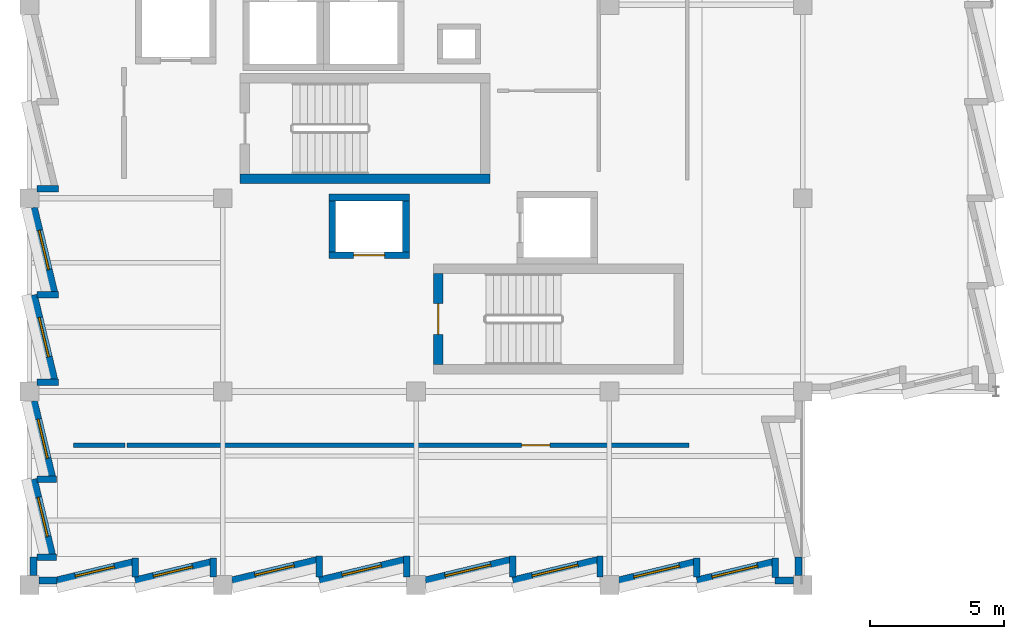
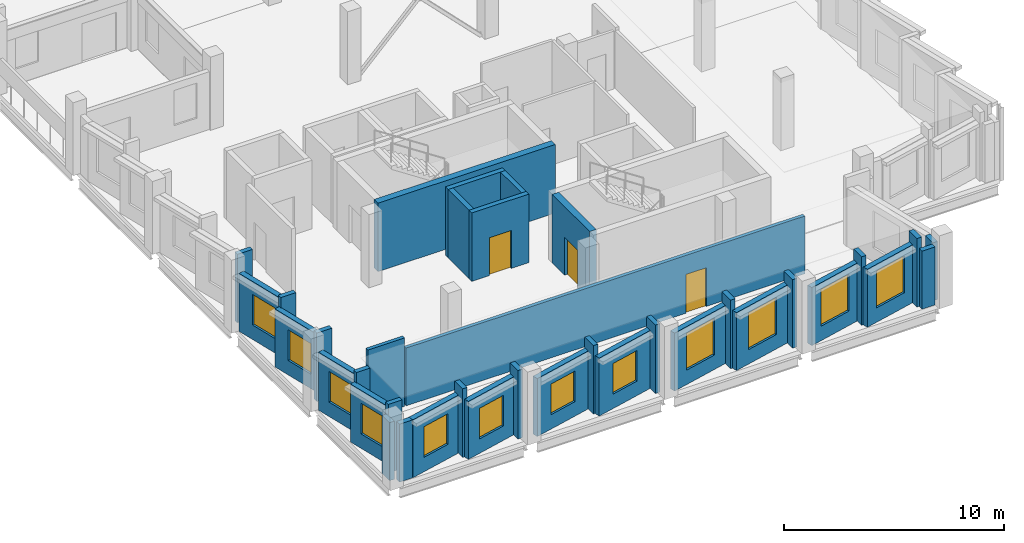
# One storey, part 22 of 33: 37 walls, 12 windows, 3 doors, 15 openings.
"""IFC4 building model written with IfcOpenShell, lengths in metres."""

from ifc_helpers import new_model, si_unit, direction, frame, frame_2d, origin, place, context, subcontext, project, spatial, rectangle, extrude, material, layer, layer_set, type_object, element, fill, save


model = new_model("IFC4")

# Units and contexts
model_context = context("Model", 3, precision=1e-05, world=origin(), true_north=direction((0.0, 1.0)))
body_context = subcontext(model_context, "Body", "Model", "MODEL_VIEW")
ifc_project = project(units=[si_unit("LENGTHUNIT", "METRE"), si_unit("AREAUNIT", "SQUARE_METRE"), si_unit("VOLUMEUNIT", "CUBIC_METRE"), si_unit("PLANEANGLEUNIT", "RADIAN"), si_unit("MASSUNIT", "GRAM", prefix="KILO")], contexts=[model_context])

# Site, building, storey
site_placement = place(None, origin())
site = spatial("IfcSite", under=ifc_project, at=site_placement, CompositionType="ELEMENT")
building_placement = place(site_placement, origin())
building = spatial("IfcBuilding", under=site, at=building_placement, Name="Kalmorath City Hall", CompositionType="ELEMENT")
storey_placement = place(building_placement, frame((0.0, 0.0, 22.949951171875)))
storey = spatial("IfcBuildingStorey", under=building, at=storey_placement, Name="L05", CompositionType="ELEMENT", Elevation=22.949951171875)

# Wall
ifc_material_1 = material(Name="Concrete C50/60", Category="concrete")
ifc_layer_1 = layer(ifc_material_1, 0.35009765625)
ifc_layer_set_1 = layer_set([ifc_layer_1], Name="Concrete C50/60")
wall_type_1 = type_object("IfcWallType", Name="Concrete core shear wall 350", PredefinedType="SHEAR", material=ifc_layer_set_1)
wall_1_placement = place(storey_placement, frame((7.85009765625, 15.125, 0.0), z_axis=(0.0, 0.0, 1.0), x_axis=(1.0, 0.0, 0.0)))
element("IfcWall", 1, at=wall_1_placement, inside=storey, type_object=wall_type_1, Name="L05 C1 stair core shear wall S", PredefinedType="SHEAR", context=body_context, shape_type="SweptSolid", body=[
    extrude(rectangle(XDim=9.2998046875, YDim=0.35009765625, at=frame_2d((4.64990234375, 0.0))), origin(), (0.0, 0.0, 1.0), 3.800048828125),
])

# Wall, opening, door
wall_2_placement = place(storey_placement, frame((15.22509765625, 11.60009765625, 0.0), z_axis=(0.0, 0.0, 1.0), x_axis=(0.0, -1.0, 0.0)))
wall_2 = element("IfcWall", 2, at=wall_2_placement, inside=storey, type_object=wall_type_1, Name="L05 C2 stair core shear wall W", PredefinedType="SHEAR", context=body_context, shape_type="SweptSolid", body=[
    extrude(rectangle(XDim=3.400146484375, YDim=0.35009765625, at=frame_2d((1.7001953125, 0.0))), origin(), (0.0, 0.0, 1.0), 3.800048828125),
])
opening_1_placement = place(wall_2_placement, frame((1.125, 0.0, 0.0)))
opening_1 = element("IfcOpeningElement", 3, at=opening_1_placement, cuts=wall_2, Name="Opening D-L05-043", PredefinedType="OPENING", context=body_context, shape_type="SweptSolid", body=[
    extrude(rectangle(XDim=1.14990234375, YDim=2.10009765625, at=frame_2d((0.574951171875, 1.050048828125))), frame((0.0, 0.18505859375, 0.0), z_axis=(0.0, -1.0, 0.0), x_axis=(1.0, 0.0, 0.0)), (0.0, 0.0, 1.0), 0.3701171875),
])
ifc_material_2 = material(Name="Galvanised steel fire door", Category="steel")
door_type_1 = type_object("IfcDoorType", Name="Stair enclosure 90-min fire door 1150x2100", OperationType="NOTDEFINED", PredefinedType="DOOR", material=ifc_material_2)
door_1_placement = place(opening_1_placement, frame((1.14990234375, 0.0, 0.0), z_axis=(0.0, 0.0, 1.0), x_axis=(-1.0, 0.0, 0.0)))
door_1 = element("IfcDoor", 4, at=door_1_placement, inside=storey, type_object=door_type_1, Name="L05 door D-L05-043", OperationType="SINGLE_SWING_LEFT", OverallHeight=2.10009765625, OverallWidth=1.14990234375, PredefinedType="DOOR", context=body_context, shape_type="SweptSolid", body=[
    extrude(rectangle(XDim=1.14990234375, YDim=2.10009765625, at=frame_2d((0.574951171875, 1.050048828125))), frame((0.0, 0.02490234375, 0.0), z_axis=(0.0, -1.0, 0.0), x_axis=(1.0, 0.0, 0.0)), (0.0, 0.0, 1.0), 0.050048828125),
])
fill(opening_1, door_1)

ifc_material_3 = material(Name="Concrete C50/60", Category="concrete")
ifc_layer_2 = layer(ifc_material_3, 0.25)
ifc_layer_set_2 = layer_set([ifc_layer_2], Name="Concrete C50/60")
wall_type_2 = type_object("IfcWallType", Name="Concrete lift shaft wall 250", PredefinedType="SHEAR", material=ifc_layer_set_2)
wall_3_placement = place(storey_placement, frame((11.14990234375, 12.27490234375, 0.0), z_axis=(0.0, 0.0, 1.0), x_axis=(1.0, 0.0, 0.0)))
wall_3 = element("IfcWall", 5, at=wall_3_placement, inside=storey, type_object=wall_type_2, Name="L05 FL2 lift shaft wall -y", PredefinedType="SHEAR", context=body_context, shape_type="SweptSolid", body=[
    extrude(rectangle(XDim=3.0, YDim=0.25, at=frame_2d((1.5, 0.0))), origin(), (0.0, 0.0, 1.0), 3.800048828125),
])
opening_2_placement = place(wall_3_placement, frame((0.925048828125, 0.0, 0.0)))
opening_2 = element("IfcOpeningElement", 6, at=opening_2_placement, cuts=wall_3, Name="Opening LD-052", PredefinedType="OPENING", context=body_context, shape_type="SweptSolid", body=[
    extrude(rectangle(XDim=1.14990234375, YDim=2.10009765625, at=frame_2d((0.574951171875, 1.050048828125))), frame((0.0, 0.135009765625, 0.0), z_axis=(0.0, -1.0, 0.0), x_axis=(1.0, 0.0, 0.0)), (0.0, 0.0, 1.0), 0.27001953125),
])
ifc_material_4 = material(Name="Stainless steel sliding landing door", Category="steel")
door_type_2 = type_object("IfcDoorType", Name="Firefighting lift sliding landing door 1150x2100", OperationType="SLIDING_TO_RIGHT", PredefinedType="DOOR", material=ifc_material_4)
door_2_placement = place(opening_2_placement, origin())
door_2 = element("IfcDoor", 7, at=door_2_placement, inside=storey, type_object=door_type_2, Name="L05 door LD-052", OperationType="SLIDING_TO_RIGHT", OverallHeight=2.10009765625, OverallWidth=1.14990234375, PredefinedType="DOOR", context=body_context, shape_type="SweptSolid", body=[
    extrude(rectangle(XDim=1.14990234375, YDim=2.10009765625, at=frame_2d((0.574951171875, 1.050048828125))), frame((0.0, 0.02490234375, 0.0), z_axis=(0.0, -1.0, 0.0), x_axis=(1.0, 0.0, 0.0)), (0.0, 0.0, 1.0), 0.050048828125),
])
fill(opening_2, door_2)

# Walls
wall_4_placement = place(storey_placement, frame((14.14990234375, 14.425048828125, 0.0), z_axis=(0.0, 0.0, 1.0), x_axis=(-1.0, 0.0, 0.0)))
element("IfcWall", 8, at=wall_4_placement, inside=storey, type_object=wall_type_2, Name="L05 FL2 lift shaft wall +y", PredefinedType="SHEAR", context=body_context, shape_type="SweptSolid", body=[
    extrude(rectangle(XDim=3.0, YDim=0.25, at=frame_2d((1.5, 0.0))), origin(), (0.0, 0.0, 1.0), 3.800048828125),
])
for number, where, z_axis, x_axis, name in (
    (9, (11.27490234375, 14.300048828125, 0.0), (0.0, 0.0, 1.0), (0.0, -1.0, 0.0), "L05 FL2 lift shaft wall -x"),
    (10, (14.02490234375, 12.39990234375, 0.0), (0.0, 0.0, 1.0), (0.0, 1.0, 0.0), "L05 FL2 lift shaft wall +x"),
):
    element("IfcWall", number, at=place(storey_placement, frame(where, z_axis=z_axis, x_axis=x_axis)), inside=storey, type_object=wall_type_2, Name=name, PredefinedType="SHEAR", context=body_context, shape_type="SweptSolid", body=[
        extrude(rectangle(XDim=1.900146484375, YDim=0.25, at=frame_2d((0.9501953125, 0.0))), origin(), (0.0, 0.0, 1.0), 3.800048828125),
    ])
ifc_material_5 = material(Name="Fire-rated acoustic gypsum partition")
ifc_layer_3 = layer(ifc_material_5, 0.179931640625)
ifc_layer_set_3 = layer_set([ifc_layer_3], Name="Fire-rated acoustic gypsum partition")
wall_type_3 = type_object("IfcWallType", Name="One-hour corridor fire partition 180", PredefinedType="PARTITIONING", material=ifc_layer_set_3)
wall_5_placement = place(storey_placement, frame((1.639892578125, 5.199951171875, 0.0), z_axis=(0.0, 0.0, 1.0), x_axis=(1.0, 0.0, 0.0)))
element("IfcWall", 11, at=wall_5_placement, inside=storey, type_object=wall_type_3, Name="L05 interior partition PW2 #172", PredefinedType="PARTITIONING", context=body_context, shape_type="SweptSolid", body=[
    extrude(rectangle(XDim=1.920166015625, YDim=0.179931640625, at=frame_2d((0.9599609375, 0.0))), origin(), (0.0, 0.0, 1.0), 3.800048828125),
])

# Wall, opening, door
wall_6_placement = place(storey_placement, frame((3.639892578125, 5.199951171875, 0.0), z_axis=(0.0, 0.0, 1.0), x_axis=(1.0, 0.0, 0.0)))
wall_6 = element("IfcWall", 12, at=wall_6_placement, inside=storey, type_object=wall_type_3, Name="L05 interior partition PW2 #178", PredefinedType="PARTITIONING", context=body_context, shape_type="SweptSolid", body=[
    extrude(rectangle(XDim=20.920166015625, YDim=0.179931640625, at=frame_2d((10.4599609375, 0.0))), origin(), (0.0, 0.0, 1.0), 3.2060546875),
])
opening_3_placement = place(wall_6_placement, frame((14.6923828125, 0.0, 0.0)))
opening_3 = element("IfcOpeningElement", 13, at=opening_3_placement, cuts=wall_6, Name="Opening D-L05-253", PredefinedType="OPENING", context=body_context, shape_type="SweptSolid", body=[
    extrude(rectangle(XDim=1.050048828125, YDim=2.14990234375, at=frame_2d((0.52490234375, 1.074951171875))), frame((0.0, 0.099853515625, 0.0), z_axis=(0.0, -1.0, 0.0), x_axis=(1.0, 0.0, 0.0)), (0.0, 0.0, 1.0), 0.199951171875),
])
ifc_material_6 = material(Name="Hardwood fire door", Category="wood")
door_type_3 = type_object("IfcDoorType", Name="Executive suite fire door 1050x2150", OperationType="NOTDEFINED", PredefinedType="DOOR", material=ifc_material_6)
door_3_placement = place(opening_3_placement, origin())
door_3 = element("IfcDoor", 14, at=door_3_placement, inside=storey, type_object=door_type_3, Name="L05 door D-L05-253", OperationType="SINGLE_SWING_LEFT", OverallHeight=2.14990234375, OverallWidth=1.050048828125, PredefinedType="DOOR", context=body_context, shape_type="SweptSolid", body=[
    extrude(rectangle(XDim=1.050048828125, YDim=2.14990234375, at=frame_2d((0.52490234375, 1.074951171875))), frame((0.0, 0.02490234375, 0.0), z_axis=(0.0, -1.0, 0.0), x_axis=(1.0, 0.0, 0.0)), (0.0, 0.0, 1.0), 0.050048828125),
])
fill(opening_3, door_3)

# Walls
ifc_material_7 = material(Name="Precast concrete C40/50", Category="concrete")
ifc_layer_4 = layer(ifc_material_7, 0.239990234375)
ifc_layer_set_4 = layer_set([ifc_layer_4], Name="Precast concrete C40/50")
wall_type_4 = type_object("IfcWallType", Name="Precast sawtooth cheek wall 240", PredefinedType="SOLIDWALL", material=ifc_layer_set_4)
wall_7_placement = place(storey_placement, frame((27.76904296875, 1.00341796875, 0.0), z_axis=(0.0, 0.0, 1.0), x_axis=(0.0, -1.0, 0.0)))
element("IfcWall", 15, at=wall_7_placement, inside=storey, type_object=wall_type_4, Name="L05 sawtooth return cheek #867", PredefinedType="SOLIDWALL", context=body_context, shape_type="SweptSolid", body=[
    extrude(rectangle(XDim=0.721435546875, YDim=0.239990234375, at=frame_2d((0.36083984375, 0.0))), origin(), (0.0, 0.0, 1.0), 3.800048828125),
])
wall_8_placement = place(storey_placement, frame((24.860107421875, 1.00341796875, 0.0), z_axis=(0.0, 0.0, 1.0), x_axis=(0.0, -1.0, 0.0)))
element("IfcWall", 16, at=wall_8_placement, inside=storey, type_object=wall_type_4, Name="L05 sawtooth return cheek #869", PredefinedType="SOLIDWALL", context=body_context, shape_type="SweptSolid", body=[
    extrude(rectangle(XDim=0.71142578125, YDim=0.239990234375, at=frame_2d((0.355712890625, 0.0))), origin(), (0.0, 0.0, 1.0), 3.800048828125),
])
for number, where, z_axis, x_axis, name in (
    (17, (21.2490234375, 1.0849609375, 0.0), (0.0, 0.0, 1.0), (0.0, -1.0, 0.0), "L05 sawtooth return cheek #871"),
    (18, (18.0, 1.0849609375, 0.0), (0.0, 0.0, 1.0), (0.0, -1.0, 0.0), "L05 sawtooth return cheek #873"),
    (19, (14.049072265625, 1.0849609375, 0.0), (0.0, 0.0, 1.0), (0.0, -1.0, 0.0), "L05 sawtooth return cheek #875"),
    (20, (10.800048828125, 1.0849609375, 0.0), (0.0, 0.0, 1.0), (0.0, -1.0, 0.0), "L05 sawtooth return cheek #877"),
):
    element("IfcWall", number, at=place(storey_placement, frame(where, z_axis=z_axis, x_axis=x_axis)), inside=storey, type_object=wall_type_4, Name=name, PredefinedType="SOLIDWALL", context=body_context, shape_type="SweptSolid", body=[
        extrude(rectangle(XDim=0.79296875, YDim=0.239990234375, at=frame_2d((0.396484375, 0.0))), origin(), (0.0, 0.0, 1.0), 3.800048828125),
    ])
for number, where, z_axis, x_axis, name in (
    (21, (6.84912109375, 1.00341796875, 0.0), (0.0, 0.0, 1.0), (0.0, -1.0, 0.0), "L05 sawtooth return cheek #880"),
    (22, (3.93994140625, 1.00341796875, 0.0), (0.0, 0.0, 1.0), (0.0, -1.0, 0.0), "L05 sawtooth return cheek #882"),
):
    element("IfcWall", number, at=place(storey_placement, frame(where, z_axis=z_axis, x_axis=x_axis)), inside=storey, type_object=wall_type_4, Name=name, PredefinedType="SOLIDWALL", context=body_context, shape_type="SweptSolid", body=[
        extrude(rectangle(XDim=0.71142578125, YDim=0.239990234375, at=frame_2d((0.355712890625, 0.0))), origin(), (0.0, 0.0, 1.0), 3.800048828125),
    ])
wall_9_placement = place(storey_placement, frame((1.00341796875, 1.031005859375, 0.0), z_axis=(0.0, 0.0, 1.0), x_axis=(-1.0, 0.0, 0.0)))
element("IfcWall", 23, at=wall_9_placement, inside=storey, type_object=wall_type_4, Name="L05 sawtooth return cheek #885", PredefinedType="SOLIDWALL", context=body_context, shape_type="SweptSolid", body=[
    extrude(rectangle(XDim=0.721435546875, YDim=0.239990234375, at=frame_2d((0.36083984375, 0.0))), origin(), (0.0, 0.0, 1.0), 3.800048828125),
])
wall_10_placement = place(storey_placement, frame((1.00341796875, 3.93994140625, 0.0), z_axis=(0.0, 0.0, 1.0), x_axis=(-1.0, 0.0, 0.0)))
element("IfcWall", 24, at=wall_10_placement, inside=storey, type_object=wall_type_4, Name="L05 sawtooth return cheek #887", PredefinedType="SOLIDWALL", context=body_context, shape_type="SweptSolid", body=[
    extrude(rectangle(XDim=0.71142578125, YDim=0.239990234375, at=frame_2d((0.355712890625, 0.0))), origin(), (0.0, 0.0, 1.0), 3.800048828125),
])
for number, where, z_axis, x_axis, name in (
    (25, (1.0849609375, 7.551025390625, 0.0), (0.0, 0.0, 1.0), (-1.0, 0.0, 0.0), "L05 sawtooth return cheek #889"),
    (26, (1.0849609375, 10.800048828125, 0.0), (0.0, 0.0, 1.0), (-1.0, 0.0, 0.0), "L05 sawtooth return cheek #891"),
    (27, (1.0849609375, 14.7509765625, 0.0), (0.0, 0.0, 1.0), (-1.0, 0.0, 0.0), "L05 sawtooth return cheek #893"),
):
    element("IfcWall", number, at=place(storey_placement, frame(where, z_axis=z_axis, x_axis=x_axis)), inside=storey, type_object=wall_type_4, Name=name, PredefinedType="SOLIDWALL", context=body_context, shape_type="SweptSolid", body=[
        extrude(rectangle(XDim=0.79296875, YDim=0.239990234375, at=frame_2d((0.396484375, 0.0))), origin(), (0.0, 0.0, 1.0), 3.800048828125),
    ])

# Wall, opening, window
ifc_material_8 = material(Name="Precast concrete C40/50", Category="concrete")
ifc_layer_5 = layer(ifc_material_8, 0.280029296875)
ifc_layer_set_5 = layer_set([ifc_layer_5], Name="Precast concrete C40/50")
wall_type_5 = type_object("IfcWallType", Name="Precast sawtooth facade wall 280", PredefinedType="SOLIDWALL", material=ifc_layer_set_5)
wall_11_placement = place(storey_placement, frame((27.676513671875, 0.836181640625, 0.0), z_axis=(0.0, 0.0, 1.0), x_axis=(-0.9723612823, -0.23348134119, 0.0)))
wall_11 = element("IfcWall", 28, at=wall_11_placement, inside=storey, type_object=wall_type_5, Name="L05 sawtooth precast frame #866", PredefinedType="SOLIDWALL", context=body_context, shape_type="SweptSolid", body=[
    extrude(rectangle(XDim=2.896484375, YDim=0.280029296875, at=frame_2d((1.4482421875, 0.0))), origin(), (0.0, 0.0, 1.0), 3.216064453125),
])
opening_4_placement = place(wall_11_placement, frame((0.5732421875, 0.0, 0.800048828125)))
opening_4 = element("IfcOpeningElement", 29, at=opening_4_placement, cuts=wall_11, Name="Opening WN1", PredefinedType="OPENING", context=body_context, shape_type="SweptSolid", body=[
    extrude(rectangle(XDim=1.75, YDim=2.050048828125, at=frame_2d((0.875, 1.02490234375))), frame((0.0, 0.14990234375, 0.0), z_axis=(0.0, -1.0, 0.0), x_axis=(1.0, 0.0, 0.0)), (0.0, 0.0, 1.0), 0.300048828125),
])
ifc_material_9 = material(Name="Aluminium and laminated glass", Category="aluminium")
window_type_1 = type_object("IfcWindowType", Name="Sawtooth hurricane window 1750x2050", PartitioningType="SINGLE_PANEL", PredefinedType="WINDOW", material=ifc_material_9)
window_1_placement = place(opening_4_placement, origin())
window_1 = element("IfcWindow", 30, at=window_1_placement, inside=storey, type_object=window_type_1, Name="L05 window WN1-447", OverallHeight=2.050048828125, OverallWidth=1.75, PartitioningType="SINGLE_PANEL", PredefinedType="WINDOW", context=body_context, shape_type="SweptSolid", body=[
    extrude(rectangle(XDim=1.75, YDim=2.050048828125, at=frame_2d((0.875, 1.02490234375))), frame((0.0, 0.030029296875, 0.0), z_axis=(0.0, -1.0, 0.0), x_axis=(1.0, 0.0, 0.0)), (0.0, 0.0, 1.0), 0.06005859375),
])
fill(opening_4, window_1)

wall_12_placement = place(storey_placement, frame((24.767578125, 0.836181640625, 0.0), z_axis=(0.0, 0.0, 1.0), x_axis=(-0.972365876643, -0.233462206666, 0.0)))
wall_12 = element("IfcWall", 31, at=wall_12_placement, inside=storey, type_object=wall_type_5, Name="L05 sawtooth precast frame #868", PredefinedType="SOLIDWALL", context=body_context, shape_type="SweptSolid", body=[
    extrude(rectangle(XDim=2.896728515625, YDim=0.280029296875, at=frame_2d((1.4482421875, 0.0))), origin(), (0.0, 0.0, 1.0), 3.216064453125),
])
opening_5_placement = place(wall_12_placement, frame((0.5732421875, 0.0, 0.800048828125)))
opening_5 = element("IfcOpeningElement", 32, at=opening_5_placement, cuts=wall_12, Name="Opening WN1", PredefinedType="OPENING", context=body_context, shape_type="SweptSolid", body=[
    extrude(rectangle(XDim=1.75, YDim=2.050048828125, at=frame_2d((0.875, 1.02490234375))), frame((0.0, 0.14990234375, 0.0), z_axis=(0.0, -1.0, 0.0), x_axis=(1.0, 0.0, 0.0)), (0.0, 0.0, 1.0), 0.300048828125),
])
window_2_placement = place(opening_5_placement, origin())
window_2 = element("IfcWindow", 33, at=window_2_placement, inside=storey, type_object=window_type_1, Name="L05 window WN1-448", OverallHeight=2.050048828125, OverallWidth=1.75, PartitioningType="SINGLE_PANEL", PredefinedType="WINDOW", context=body_context, shape_type="SweptSolid", body=[
    extrude(rectangle(XDim=1.75, YDim=2.050048828125, at=frame_2d((0.875, 1.02490234375))), frame((0.0, 0.030029296875, 0.0), z_axis=(0.0, -1.0, 0.0), x_axis=(1.0, 0.0, 0.0)), (0.0, 0.0, 1.0), 0.06005859375),
])
fill(opening_5, window_2)

wall_13_placement = place(storey_placement, frame((21.156494140625, 0.917724609375, 0.0), z_axis=(0.0, 0.0, 1.0), x_axis=(-0.972369549528, -0.233446908634, 0.0)))
wall_13 = element("IfcWall", 34, at=wall_13_placement, inside=storey, type_object=wall_type_5, Name="L05 sawtooth precast frame #870", PredefinedType="SOLIDWALL", context=body_context, shape_type="SweptSolid", body=[
    extrude(rectangle(XDim=3.24609375, YDim=0.280029296875, at=frame_2d((1.623046875, 0.0))), origin(), (0.0, 0.0, 1.0), 3.216064453125),
])
opening_6_placement = place(wall_13_placement, frame((0.748291015625, 0.0, 0.800048828125)))
opening_6 = element("IfcOpeningElement", 35, at=opening_6_placement, cuts=wall_13, Name="Opening WN1", PredefinedType="OPENING", context=body_context, shape_type="SweptSolid", body=[
    extrude(rectangle(XDim=1.75, YDim=2.050048828125, at=frame_2d((0.875, 1.02490234375))), frame((0.0, 0.14990234375, 0.0), z_axis=(0.0, -1.0, 0.0), x_axis=(1.0, 0.0, 0.0)), (0.0, 0.0, 1.0), 0.300048828125),
])
window_3_placement = place(opening_6_placement, origin())
window_3 = element("IfcWindow", 36, at=window_3_placement, inside=storey, type_object=window_type_1, Name="L05 window WN1-449", OverallHeight=2.050048828125, OverallWidth=1.75, PartitioningType="SINGLE_PANEL", PredefinedType="WINDOW", context=body_context, shape_type="SweptSolid", body=[
    extrude(rectangle(XDim=1.75, YDim=2.050048828125, at=frame_2d((0.875, 1.02490234375))), frame((0.0, 0.030029296875, 0.0), z_axis=(0.0, -1.0, 0.0), x_axis=(1.0, 0.0, 0.0)), (0.0, 0.0, 1.0), 0.06005859375),
])
fill(opening_6, window_3)

wall_14_placement = place(storey_placement, frame((17.90771484375, 0.917724609375, 0.0), z_axis=(0.0, 0.0, 1.0), x_axis=(-0.972373647746, -0.233429837788, 0.0)))
wall_14 = element("IfcWall", 37, at=wall_14_placement, inside=storey, type_object=wall_type_5, Name="L05 sawtooth precast frame #872", PredefinedType="SOLIDWALL", context=body_context, shape_type="SweptSolid", body=[
    extrude(rectangle(XDim=3.246337890625, YDim=0.280029296875, at=frame_2d((1.623046875, 0.0))), origin(), (0.0, 0.0, 1.0), 3.216064453125),
])
opening_7_placement = place(wall_14_placement, frame((0.748291015625, 0.0, 0.800048828125)))
opening_7 = element("IfcOpeningElement", 38, at=opening_7_placement, cuts=wall_14, Name="Opening WN1", PredefinedType="OPENING", context=body_context, shape_type="SweptSolid", body=[
    extrude(rectangle(XDim=1.75, YDim=2.050048828125, at=frame_2d((0.875, 1.02490234375))), frame((0.0, 0.14990234375, 0.0), z_axis=(0.0, -1.0, 0.0), x_axis=(1.0, 0.0, 0.0)), (0.0, 0.0, 1.0), 0.300048828125),
])
window_4_placement = place(opening_7_placement, origin())
window_4 = element("IfcWindow", 39, at=window_4_placement, inside=storey, type_object=window_type_1, Name="L05 window WN1-450", OverallHeight=2.050048828125, OverallWidth=1.75, PartitioningType="SINGLE_PANEL", PredefinedType="WINDOW", context=body_context, shape_type="SweptSolid", body=[
    extrude(rectangle(XDim=1.75, YDim=2.050048828125, at=frame_2d((0.875, 1.02490234375))), frame((0.0, 0.030029296875, 0.0), z_axis=(0.0, -1.0, 0.0), x_axis=(1.0, 0.0, 0.0)), (0.0, 0.0, 1.0), 0.06005859375),
])
fill(opening_7, window_4)

wall_15_placement = place(storey_placement, frame((13.95654296875, 0.917724609375, 0.0), z_axis=(0.0, 0.0, 1.0), x_axis=(-0.972369549528, -0.233446908634, 0.0)))
wall_15 = element("IfcWall", 40, at=wall_15_placement, inside=storey, type_object=wall_type_5, Name="L05 sawtooth precast frame #874", PredefinedType="SOLIDWALL", context=body_context, shape_type="SweptSolid", body=[
    extrude(rectangle(XDim=3.24609375, YDim=0.280029296875, at=frame_2d((1.623046875, 0.0))), origin(), (0.0, 0.0, 1.0), 3.216064453125),
])
opening_8_placement = place(wall_15_placement, frame((0.873291015625, 0.0, 0.800048828125)))
opening_8 = element("IfcOpeningElement", 41, at=opening_8_placement, cuts=wall_15, Name="Opening WN7", PredefinedType="OPENING", context=body_context, shape_type="SweptSolid", body=[
    extrude(rectangle(XDim=1.5, YDim=1.699951171875, at=frame_2d((0.75, 0.85009765625))), frame((0.0, 0.14990234375, 0.0), z_axis=(0.0, -1.0, 0.0), x_axis=(1.0, 0.0, 0.0)), (0.0, 0.0, 1.0), 0.300048828125),
])
ifc_material_10 = material(Name="Aluminium and laminated glass", Category="aluminium")
window_type_2 = type_object("IfcWindowType", Name="Sawtooth top storey window 1500x1700", PartitioningType="SINGLE_PANEL", PredefinedType="WINDOW", material=ifc_material_10)
window_5_placement = place(opening_8_placement, origin())
window_5 = element("IfcWindow", 42, at=window_5_placement, inside=storey, type_object=window_type_2, Name="L05 window WN7-451", OverallHeight=1.699951171875, OverallWidth=1.5, PartitioningType="SINGLE_PANEL", PredefinedType="WINDOW", context=body_context, shape_type="SweptSolid", body=[
    extrude(rectangle(XDim=1.5, YDim=1.699951171875, at=frame_2d((0.75, 0.85009765625))), frame((0.0, 0.030029296875, 0.0), z_axis=(0.0, -1.0, 0.0), x_axis=(1.0, 0.0, 0.0)), (0.0, 0.0, 1.0), 0.06005859375),
])
fill(opening_8, window_5)

wall_16_placement = place(storey_placement, frame((10.70751953125, 0.917724609375, 0.0), z_axis=(0.0, 0.0, 1.0), x_axis=(-0.972369549528, -0.233446908634, 0.0)))
wall_16 = element("IfcWall", 43, at=wall_16_placement, inside=storey, type_object=wall_type_5, Name="L05 sawtooth precast frame #876", PredefinedType="SOLIDWALL", context=body_context, shape_type="SweptSolid", body=[
    extrude(rectangle(XDim=3.24609375, YDim=0.280029296875, at=frame_2d((1.623046875, 0.0))), origin(), (0.0, 0.0, 1.0), 3.216064453125),
])
opening_9_placement = place(wall_16_placement, frame((0.873291015625, 0.0, 0.800048828125)))
opening_9 = element("IfcOpeningElement", 44, at=opening_9_placement, cuts=wall_16, Name="Opening WN7", PredefinedType="OPENING", context=body_context, shape_type="SweptSolid", body=[
    extrude(rectangle(XDim=1.5, YDim=1.699951171875, at=frame_2d((0.75, 0.85009765625))), frame((0.0, 0.14990234375, 0.0), z_axis=(0.0, -1.0, 0.0), x_axis=(1.0, 0.0, 0.0)), (0.0, 0.0, 1.0), 0.300048828125),
])
window_6_placement = place(opening_9_placement, origin())
window_6 = element("IfcWindow", 45, at=window_6_placement, inside=storey, type_object=window_type_2, Name="L05 window WN7-452", OverallHeight=1.699951171875, OverallWidth=1.5, PartitioningType="SINGLE_PANEL", PredefinedType="WINDOW", context=body_context, shape_type="SweptSolid", body=[
    extrude(rectangle(XDim=1.5, YDim=1.699951171875, at=frame_2d((0.75, 0.85009765625))), frame((0.0, 0.030029296875, 0.0), z_axis=(0.0, -1.0, 0.0), x_axis=(1.0, 0.0, 0.0)), (0.0, 0.0, 1.0), 0.06005859375),
])
fill(opening_9, window_6)

wall_17_placement = place(storey_placement, frame((6.756591796875, 0.836181640625, 0.0), z_axis=(0.0, 0.0, 1.0), x_axis=(-0.972365876643, -0.233462206666, 0.0)))
wall_17 = element("IfcWall", 46, at=wall_17_placement, inside=storey, type_object=wall_type_5, Name="L05 sawtooth precast frame #879", PredefinedType="SOLIDWALL", context=body_context, shape_type="SweptSolid", body=[
    extrude(rectangle(XDim=2.896728515625, YDim=0.280029296875, at=frame_2d((1.4482421875, 0.0))), origin(), (0.0, 0.0, 1.0), 3.216064453125),
])
opening_10_placement = place(wall_17_placement, frame((0.6982421875, 0.0, 0.800048828125)))
opening_10 = element("IfcOpeningElement", 47, at=opening_10_placement, cuts=wall_17, Name="Opening WN7", PredefinedType="OPENING", context=body_context, shape_type="SweptSolid", body=[
    extrude(rectangle(XDim=1.5, YDim=1.699951171875, at=frame_2d((0.75, 0.85009765625))), frame((0.0, 0.14990234375, 0.0), z_axis=(0.0, -1.0, 0.0), x_axis=(1.0, 0.0, 0.0)), (0.0, 0.0, 1.0), 0.300048828125),
])
window_7_placement = place(opening_10_placement, origin())
window_7 = element("IfcWindow", 48, at=window_7_placement, inside=storey, type_object=window_type_2, Name="L05 window WN7-453", OverallHeight=1.699951171875, OverallWidth=1.5, PartitioningType="SINGLE_PANEL", PredefinedType="WINDOW", context=body_context, shape_type="SweptSolid", body=[
    extrude(rectangle(XDim=1.5, YDim=1.699951171875, at=frame_2d((0.75, 0.85009765625))), frame((0.0, 0.030029296875, 0.0), z_axis=(0.0, -1.0, 0.0), x_axis=(1.0, 0.0, 0.0)), (0.0, 0.0, 1.0), 0.06005859375),
])
fill(opening_10, window_7)

wall_18_placement = place(storey_placement, frame((3.84765625, 0.836181640625, 0.0), z_axis=(0.0, 0.0, 1.0), x_axis=(-0.972365876643, -0.233462206666, 0.0)))
wall_18 = element("IfcWall", 49, at=wall_18_placement, inside=storey, type_object=wall_type_5, Name="L05 sawtooth precast frame #881", PredefinedType="SOLIDWALL", context=body_context, shape_type="SweptSolid", body=[
    extrude(rectangle(XDim=2.896728515625, YDim=0.280029296875, at=frame_2d((1.4482421875, 0.0))), origin(), (0.0, 0.0, 1.0), 3.216064453125),
])
opening_11_placement = place(wall_18_placement, frame((0.6982421875, 0.0, 0.800048828125)))
opening_11 = element("IfcOpeningElement", 50, at=opening_11_placement, cuts=wall_18, Name="Opening WN7", PredefinedType="OPENING", context=body_context, shape_type="SweptSolid", body=[
    extrude(rectangle(XDim=1.5, YDim=1.699951171875, at=frame_2d((0.75, 0.85009765625))), frame((0.0, 0.14990234375, 0.0), z_axis=(0.0, -1.0, 0.0), x_axis=(1.0, 0.0, 0.0)), (0.0, 0.0, 1.0), 0.300048828125),
])
window_8_placement = place(opening_11_placement, origin())
window_8 = element("IfcWindow", 51, at=window_8_placement, inside=storey, type_object=window_type_2, Name="L05 window WN7-454", OverallHeight=1.699951171875, OverallWidth=1.5, PartitioningType="SINGLE_PANEL", PredefinedType="WINDOW", context=body_context, shape_type="SweptSolid", body=[
    extrude(rectangle(XDim=1.5, YDim=1.699951171875, at=frame_2d((0.75, 0.85009765625))), frame((0.0, 0.030029296875, 0.0), z_axis=(0.0, -1.0, 0.0), x_axis=(1.0, 0.0, 0.0)), (0.0, 0.0, 1.0), 0.06005859375),
])
fill(opening_11, window_8)

wall_19_placement = place(storey_placement, frame((0.836181640625, 1.123291015625, 0.0), z_axis=(0.0, 0.0, 1.0), x_axis=(-0.233462206666, 0.972365876643, 0.0)))
wall_19 = element("IfcWall", 52, at=wall_19_placement, inside=storey, type_object=wall_type_5, Name="L05 sawtooth precast frame #884", PredefinedType="SOLIDWALL", context=body_context, shape_type="SweptSolid", body=[
    extrude(rectangle(XDim=2.896728515625, YDim=0.280029296875, at=frame_2d((1.4482421875, 0.0))), origin(), (0.0, 0.0, 1.0), 3.216064453125),
])
opening_12_placement = place(wall_19_placement, frame((0.6982421875, 0.0, 0.800048828125)))
opening_12 = element("IfcOpeningElement", 53, at=opening_12_placement, cuts=wall_19, Name="Opening WN7", PredefinedType="OPENING", context=body_context, shape_type="SweptSolid", body=[
    extrude(rectangle(XDim=1.5, YDim=1.699951171875, at=frame_2d((0.75, 0.85009765625))), frame((0.0, 0.14990234375, 0.0), z_axis=(0.0, -1.0, 0.0), x_axis=(1.0, 0.0, 0.0)), (0.0, 0.0, 1.0), 0.300048828125),
])
window_9_placement = place(opening_12_placement, origin())
window_9 = element("IfcWindow", 54, at=window_9_placement, inside=storey, type_object=window_type_2, Name="L05 window WN7-455", OverallHeight=1.699951171875, OverallWidth=1.5, PartitioningType="SINGLE_PANEL", PredefinedType="WINDOW", context=body_context, shape_type="SweptSolid", body=[
    extrude(rectangle(XDim=1.5, YDim=1.699951171875, at=frame_2d((0.75, 0.85009765625))), frame((0.0, 0.030029296875, 0.0), z_axis=(0.0, -1.0, 0.0), x_axis=(1.0, 0.0, 0.0)), (0.0, 0.0, 1.0), 0.06005859375),
])
fill(opening_12, window_9)

wall_20_placement = place(storey_placement, frame((0.836181640625, 4.032470703125, 0.0), z_axis=(0.0, 0.0, 1.0), x_axis=(-0.233462206666, 0.972365876643, 0.0)))
wall_20 = element("IfcWall", 55, at=wall_20_placement, inside=storey, type_object=wall_type_5, Name="L05 sawtooth precast frame #886", PredefinedType="SOLIDWALL", context=body_context, shape_type="SweptSolid", body=[
    extrude(rectangle(XDim=2.896728515625, YDim=0.280029296875, at=frame_2d((1.4482421875, 0.0))), origin(), (0.0, 0.0, 1.0), 3.216064453125),
])
opening_13_placement = place(wall_20_placement, frame((0.6982421875, 0.0, 0.800048828125)))
opening_13 = element("IfcOpeningElement", 56, at=opening_13_placement, cuts=wall_20, Name="Opening WN7", PredefinedType="OPENING", context=body_context, shape_type="SweptSolid", body=[
    extrude(rectangle(XDim=1.5, YDim=1.699951171875, at=frame_2d((0.75, 0.85009765625))), frame((0.0, 0.14990234375, 0.0), z_axis=(0.0, -1.0, 0.0), x_axis=(1.0, 0.0, 0.0)), (0.0, 0.0, 1.0), 0.300048828125),
])
window_10_placement = place(opening_13_placement, origin())
window_10 = element("IfcWindow", 57, at=window_10_placement, inside=storey, type_object=window_type_2, Name="L05 window WN7-456", OverallHeight=1.699951171875, OverallWidth=1.5, PartitioningType="SINGLE_PANEL", PredefinedType="WINDOW", context=body_context, shape_type="SweptSolid", body=[
    extrude(rectangle(XDim=1.5, YDim=1.699951171875, at=frame_2d((0.75, 0.85009765625))), frame((0.0, 0.030029296875, 0.0), z_axis=(0.0, -1.0, 0.0), x_axis=(1.0, 0.0, 0.0)), (0.0, 0.0, 1.0), 0.06005859375),
])
fill(opening_13, window_10)

wall_21_placement = place(storey_placement, frame((0.917724609375, 7.643310546875, 0.0), z_axis=(0.0, 0.0, 1.0), x_axis=(-0.233429837788, 0.972373647746, 0.0)))
wall_21 = element("IfcWall", 58, at=wall_21_placement, inside=storey, type_object=wall_type_5, Name="L05 sawtooth precast frame #888", PredefinedType="SOLIDWALL", context=body_context, shape_type="SweptSolid", body=[
    extrude(rectangle(XDim=3.246337890625, YDim=0.280029296875, at=frame_2d((1.623046875, 0.0))), origin(), (0.0, 0.0, 1.0), 3.216064453125),
])
opening_14_placement = place(wall_21_placement, frame((0.873291015625, 0.0, 0.800048828125)))
opening_14 = element("IfcOpeningElement", 59, at=opening_14_placement, cuts=wall_21, Name="Opening WN7", PredefinedType="OPENING", context=body_context, shape_type="SweptSolid", body=[
    extrude(rectangle(XDim=1.5, YDim=1.699951171875, at=frame_2d((0.75, 0.85009765625))), frame((0.0, 0.14990234375, 0.0), z_axis=(0.0, -1.0, 0.0), x_axis=(1.0, 0.0, 0.0)), (0.0, 0.0, 1.0), 0.300048828125),
])
window_11_placement = place(opening_14_placement, origin())
window_11 = element("IfcWindow", 60, at=window_11_placement, inside=storey, type_object=window_type_2, Name="L05 window WN7-457", OverallHeight=1.699951171875, OverallWidth=1.5, PartitioningType="SINGLE_PANEL", PredefinedType="WINDOW", context=body_context, shape_type="SweptSolid", body=[
    extrude(rectangle(XDim=1.5, YDim=1.699951171875, at=frame_2d((0.75, 0.85009765625))), frame((0.0, 0.030029296875, 0.0), z_axis=(0.0, -1.0, 0.0), x_axis=(1.0, 0.0, 0.0)), (0.0, 0.0, 1.0), 0.06005859375),
])
fill(opening_14, window_11)

wall_22_placement = place(storey_placement, frame((0.917724609375, 10.892333984375, 0.0), z_axis=(0.0, 0.0, 1.0), x_axis=(-0.233429837788, 0.972373647746, 0.0)))
wall_22 = element("IfcWall", 61, at=wall_22_placement, inside=storey, type_object=wall_type_5, Name="L05 sawtooth precast frame #890", PredefinedType="SOLIDWALL", context=body_context, shape_type="SweptSolid", body=[
    extrude(rectangle(XDim=3.246337890625, YDim=0.280029296875, at=frame_2d((1.623046875, 0.0))), origin(), (0.0, 0.0, 1.0), 3.216064453125),
])
opening_15_placement = place(wall_22_placement, frame((0.873291015625, 0.0, 0.800048828125)))
opening_15 = element("IfcOpeningElement", 62, at=opening_15_placement, cuts=wall_22, Name="Opening WN7", PredefinedType="OPENING", context=body_context, shape_type="SweptSolid", body=[
    extrude(rectangle(XDim=1.5, YDim=1.699951171875, at=frame_2d((0.75, 0.85009765625))), frame((0.0, 0.14990234375, 0.0), z_axis=(0.0, -1.0, 0.0), x_axis=(1.0, 0.0, 0.0)), (0.0, 0.0, 1.0), 0.300048828125),
])
window_12_placement = place(opening_15_placement, origin())
window_12 = element("IfcWindow", 63, at=window_12_placement, inside=storey, type_object=window_type_2, Name="L05 window WN7-458", OverallHeight=1.699951171875, OverallWidth=1.5, PartitioningType="SINGLE_PANEL", PredefinedType="WINDOW", context=body_context, shape_type="SweptSolid", body=[
    extrude(rectangle(XDim=1.5, YDim=1.699951171875, at=frame_2d((0.75, 0.85009765625))), frame((0.0, 0.030029296875, 0.0), z_axis=(0.0, -1.0, 0.0), x_axis=(1.0, 0.0, 0.0)), (0.0, 0.0, 1.0), 0.06005859375),
])
fill(opening_15, window_12)

# Walls
ifc_material_11 = material(Name="Precast concrete C40/50", Category="concrete")
ifc_layer_6 = layer(ifc_material_11, 0.260009765625)
ifc_layer_set_6 = layer_set([ifc_layer_6], Name="Precast concrete C40/50")
wall_type_6 = type_object("IfcWallType", Name="Precast sawtooth return wall 260", PredefinedType="SOLIDWALL", material=ifc_layer_set_6)
for number, where, z_axis, x_axis, name in (
    (64, (28.639892578125, 1.031005859375, 0.0), (0.0, 0.0, 1.0), (0.0, -1.0, 0.0), "L05 corner pier wall #862"),
    (65, (28.448974609375, 0.159912109375, 0.0), (0.0, 0.0, 1.0), (-1.0, 0.0, 0.0), "L05 corner pier wall #865"),
    (66, (1.031005859375, 0.159912109375, 0.0), (0.0, 0.0, 1.0), (-1.0, 0.0, 0.0), "L05 corner pier wall #878"),
    (67, (0.159912109375, 0.35107421875, 0.0), (0.0, 0.0, 1.0), (0.0, 1.0, 0.0), "L05 corner pier wall #883"),
):
    element("IfcWall", number, at=place(storey_placement, frame(where, z_axis=z_axis, x_axis=x_axis)), inside=storey, type_object=wall_type_6, Name=name, PredefinedType="SOLIDWALL", context=body_context, shape_type="SweptSolid", body=[
        extrude(rectangle(XDim=0.679931640625, YDim=0.260009765625, at=frame_2d((0.33984375, 0.0))), origin(), (0.0, 0.0, 1.0), 3.216064453125),
    ])

save(model, "model.ifc")
